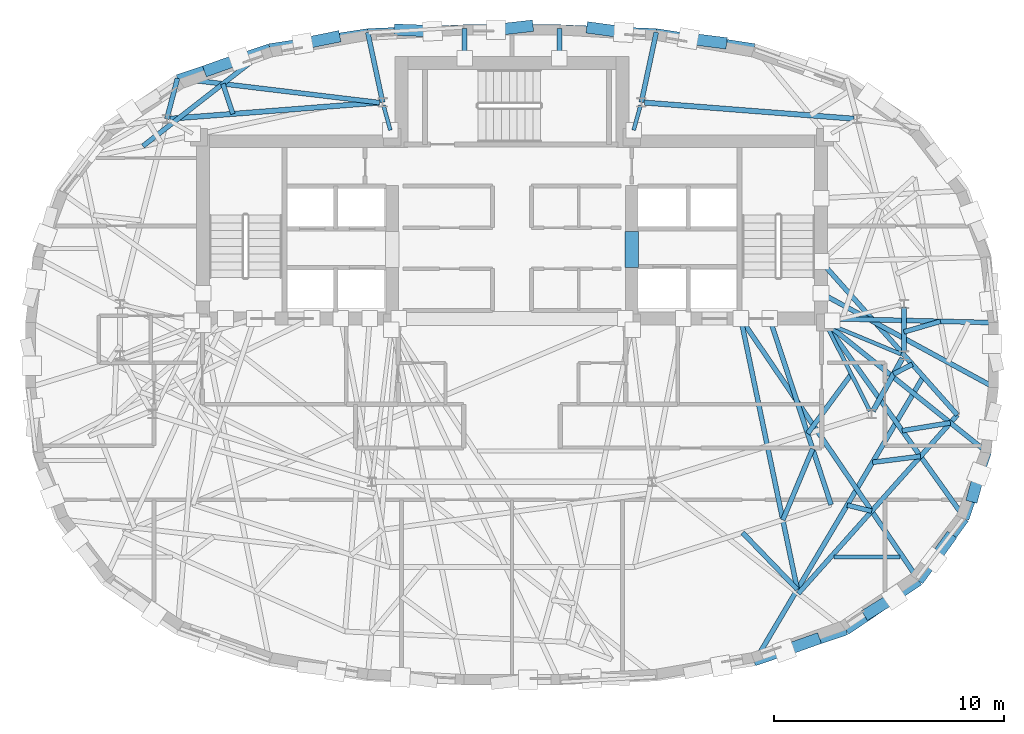
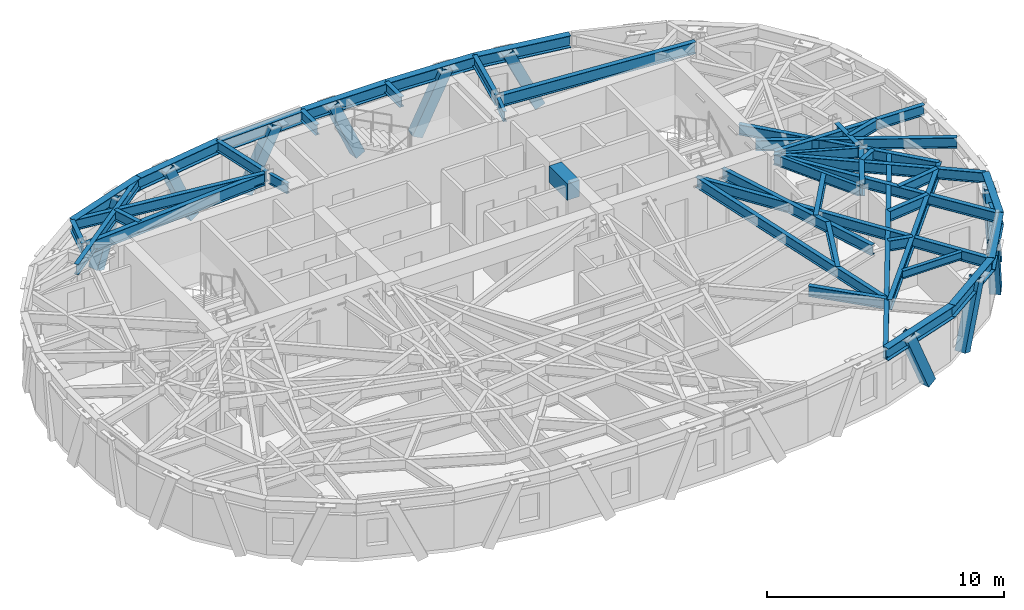
# One storey, part 3 of 12: 46 beams, 10 members.
"""IFC4 building model written with IfcOpenShell, lengths in metres."""

from ifc_helpers import new_model, si_unit, direction, frame, origin, origin_2d, place, context, subcontext, project, spatial, rectangle, hollow_rectangle, i_section, extrude, material, material_profile, profile_set, type_object, element, save


model = new_model("IFC4")

# Units and contexts
model_context = context("Model", 3, precision=1e-05, world=origin(), true_north=direction((0.0, 1.0)))
body_context = subcontext(model_context, "Body", "Model", "MODEL_VIEW")
ifc_project = project(units=[si_unit("LENGTHUNIT", "METRE"), si_unit("AREAUNIT", "SQUARE_METRE"), si_unit("VOLUMEUNIT", "CUBIC_METRE"), si_unit("PLANEANGLEUNIT", "RADIAN"), si_unit("MASSUNIT", "GRAM", prefix="KILO")], contexts=[model_context])

# Site, building, storey
site_placement = place(None, origin())
site = spatial("IfcSite", under=ifc_project, at=site_placement, CompositionType="ELEMENT")
building_placement = place(site_placement, origin())
building = spatial("IfcBuilding", under=site, at=building_placement, Name="Keldmark Tower", CompositionType="ELEMENT")
storey_placement = place(building_placement, frame((0.0, 0.0, 247.800048828125)))
storey = spatial("IfcBuildingStorey", under=building, at=storey_placement, Name="L70", CompositionType="ELEMENT", Elevation=247.800048828125)

# Beams
ifc_material_1 = material(Name="Steel ASTM A992 Grade 50", Category="steel")
ifc_material_profile_1 = material_profile(ifc_material_1, i_section(OverallWidth=0.177978515625, OverallDepth=0.403076171875, WebThickness=0.007568359375, FlangeThickness=0.010986328125, at=origin_2d()), Name="W16X36")
ifc_profile_set_1 = profile_set([ifc_material_profile_1], Name="Steel ASTM A992 Grade 50")
beam_type_1 = type_object("IfcBeamType", Name="Composite Floor Joist W16X36", PredefinedType="JOIST", material=ifc_profile_set_1)
beam_1_placement = place(storey_placement, frame((13.984130859375, -8.780029296875, 2.7685546875), z_axis=(1.0, 0.0, 0.0), x_axis=(0.0, 1.0, 0.0)))
element("IfcBeam", 1, at=beam_1_placement, inside=storey, type_object=beam_type_1, Name="L70 Composite Floor Joist J02", PredefinedType="JOIST", context=body_context, shape_type="SweptSolid", body=[
    extrude(i_section(OverallWidth=0.177978515625, OverallDepth=0.403076171875, WebThickness=0.007568359375, FlangeThickness=0.010986328125, at=origin_2d()), origin(), (0.0, 0.0, 1.0), 2.877685546875),
])
ifc_material_2 = material(Name="Concrete C50/60", Category="concrete")
ifc_material_profile_2 = material_profile(ifc_material_2, rectangle(XDim=0.60009765625, YDim=0.85009765625, at=origin_2d()), Name="RCB600X850")
ifc_profile_set_2 = profile_set([ifc_material_profile_2], Name="Concrete C50/60")
beam_type_2 = type_object("IfcBeamType", Name="Core Coupling Beam RCB600X850", PredefinedType="USERDEFINED", material=ifc_profile_set_2)
beam_2_placement = place(storey_placement, frame((5.199951171875, 3.800048828125, 2.544921875), z_axis=(0.0, 1.0, 0.0), x_axis=(-1.0, 0.0, 0.0)))
element("IfcBeam", 2, at=beam_2_placement, inside=storey, type_object=beam_type_2, Name="L70 East Core Coupling Beam", ObjectType="COUPLING BEAM", PredefinedType="USERDEFINED", context=body_context, shape_type="SweptSolid", body=[
    extrude(rectangle(XDim=0.60009765625, YDim=0.85009765625, at=origin_2d()), origin(), (0.0, 0.0, 1.0), 1.550048828125),
])

# Members
ifc_material_3 = material(Name="Steel ASTM A572 Grade 50", Category="steel")
ifc_material_profile_3 = material_profile(ifc_material_3, hollow_rectangle(XDim=0.5, YDim=0.5, WallThickness=0.030029296875, at=origin_2d()), Name="BOX500X500X30")
ifc_profile_set_3 = profile_set([ifc_material_profile_3], Name="Steel ASTM A572 Grade 50")
member_type = type_object("IfcMemberType", Name="Diagrid Upper Brace BOX500X500X30", PredefinedType="BRACE", material=ifc_profile_set_3)
member_1_placement = place(storey_placement, frame((9.098876953125, 13.557373046875, -0.260009765625), z_axis=(-0.41965301128, 0.052287669654, 0.906177327969), x_axis=(-0.123641349956, -0.9923269706, 0.0)))
element("IfcMember", 3, at=member_1_placement, inside=storey, type_object=member_type, Name="L70 Perimeter Diagrid Brace 03B", PredefinedType="BRACE", context=body_context, shape_type="SweptSolid", body=[
    extrude(hollow_rectangle(XDim=0.5, YDim=0.5, WallThickness=0.030029296875, at=origin_2d()), origin(), (0.0, 0.0, 1.0), 3.431884765625),
])
member_2_placement = place(storey_placement, frame((3.47265625, 14.195068359375, -0.260009765625), z_axis=(0.403702380208, -0.05520348655, 0.913223391776), x_axis=(0.13548222838, 0.990779776637, 0.0)))
element("IfcMember", 4, at=member_2_placement, inside=storey, type_object=member_type, Name="L70 Perimeter Diagrid Brace 04A", PredefinedType="BRACE", context=body_context, shape_type="SweptSolid", body=[
    extrude(hollow_rectangle(XDim=0.5, YDim=0.5, WallThickness=0.030029296875, at=origin_2d()), origin(), (0.0, 0.0, 1.0), 3.4052734375),
])
member_3_placement = place(storey_placement, frame((0.68798828125, 14.270263671875, -0.260009765625), z_axis=(-0.405289051372, -0.044944505697, 0.913083115738), x_axis=(0.110219291289, -0.993907293377, 0.0)))
element("IfcMember", 5, at=member_3_placement, inside=storey, type_object=member_type, Name="L70 Perimeter Diagrid Brace 04B", PredefinedType="BRACE", context=body_context, shape_type="SweptSolid", body=[
    extrude(hollow_rectangle(XDim=0.5, YDim=0.5, WallThickness=0.030029296875, at=origin_2d()), origin(), (0.0, 0.0, 1.0), 3.406005859375),
])
member_4_placement = place(storey_placement, frame((-4.892578125, 14.115234375, -0.260009765625), z_axis=(0.419294927222, -0.01581976102, 0.907712233677), x_axis=(0.037702610274, 0.999289003831, 0.0)))
element("IfcMember", 6, at=member_4_placement, inside=storey, type_object=member_type, Name="L70 Perimeter Diagrid Brace 05A", PredefinedType="BRACE", context=body_context, shape_type="SweptSolid", body=[
    extrude(hollow_rectangle(XDim=0.5, YDim=0.5, WallThickness=0.030029296875, at=origin_2d()), origin(), (0.0, 0.0, 1.0), 3.426025390625),
])
member_5_placement = place(storey_placement, frame((-7.69970703125, 13.79638671875, -0.260009765625), z_axis=(-0.406515463437, -0.082717432202, 0.909891754219), x_axis=(0.199393225958, -0.979919558659, 0.0)))
element("IfcMember", 7, at=member_5_placement, inside=storey, type_object=member_type, Name="L70 Perimeter Diagrid Brace 05B", PredefinedType="BRACE", context=body_context, shape_type="SweptSolid", body=[
    extrude(hollow_rectangle(XDim=0.5, YDim=0.5, WallThickness=0.030029296875, at=origin_2d()), origin(), (0.0, 0.0, 1.0), 3.417724609375),
])
for number, where, z_axis, x_axis, name in (
    (8, (-13.14501953125, 12.384521484375, -0.260009765625), (0.384865958735, 0.136935179137, 0.912757881654), (-0.335213833812, 0.942142072949, 0.0), "L70 Perimeter Diagrid Brace 06A"),
    (9, (13.14501953125, -12.384521484375, -0.260009765625), (-0.384865958735, -0.136935179137, 0.912757881654), (0.335213833812, -0.942142072949, 0.0), "L70 Perimeter Diagrid Brace 14A"),
):
    element("IfcMember", number, at=place(storey_placement, frame(where, z_axis=z_axis, x_axis=x_axis)), inside=storey, type_object=member_type, Name=name, PredefinedType="BRACE", context=body_context, shape_type="SweptSolid", body=[
        extrude(hollow_rectangle(XDim=0.5, YDim=0.5, WallThickness=0.030029296875, at=origin_2d()), origin(), (0.0, 0.0, 1.0), 3.4072265625),
    ])
member_6_placement = place(storey_placement, frame((15.509033203125, -11.210693359375, -0.260009765625), z_axis=(0.327427680712, 0.203338384902, 0.922737565687), x_axis=(-0.52756402166, 0.849515275348, 0.0)))
element("IfcMember", 10, at=member_6_placement, inside=storey, type_object=member_type, Name="L70 Perimeter Diagrid Brace 14B", PredefinedType="BRACE", context=body_context, shape_type="SweptSolid", body=[
    extrude(hollow_rectangle(XDim=0.5, YDim=0.5, WallThickness=0.030029296875, at=origin_2d()), origin(), (0.0, 0.0, 1.0), 3.370361328125),
])
member_7_placement = place(storey_placement, frame((18.98193359375, -8.000244140625, -0.260009765625), z_axis=(-0.198926312368, -0.275203550927, 0.940580314383), x_axis=(0.810444067748, -0.585816023212, 0.0)))
element("IfcMember", 11, at=member_7_placement, inside=storey, type_object=member_type, Name="L70 Perimeter Diagrid Brace 15A", PredefinedType="BRACE", context=body_context, shape_type="SweptSolid", body=[
    extrude(hollow_rectangle(XDim=0.5, YDim=0.5, WallThickness=0.030029296875, at=origin_2d()), origin(), (0.0, 0.0, 1.0), 3.306396484375),
])
member_8_placement = place(storey_placement, frame((20.02001953125, -6.16015625, -0.260009765625), z_axis=(0.081072765413, 0.298610554007, 0.950925309235), x_axis=(-0.965063845908, 0.262014834164, 0.0)))
element("IfcMember", 12, at=member_8_placement, inside=storey, type_object=member_type, Name="L70 Perimeter Diagrid Brace 15B", PredefinedType="BRACE", context=body_context, shape_type="SweptSolid", body=[
    extrude(hollow_rectangle(XDim=0.5, YDim=0.5, WallThickness=0.030029296875, at=origin_2d()), origin(), (0.0, 0.0, 1.0), 3.270263671875),
])

# Beams
ifc_material_4 = material(Name="Steel ASTM A992 Grade 50", Category="steel")
ifc_material_profile_4 = material_profile(ifc_material_4, i_section(OverallWidth=0.22802734375, OverallDepth=0.60302734375, WebThickness=0.010498046875, FlangeThickness=0.014892578125, at=origin_2d()), Name="W24X68")
ifc_profile_set_4 = profile_set([ifc_material_profile_4], Name="Steel ASTM A992 Grade 50")
beam_type_3 = type_object("IfcBeamType", Name="Primary Floor Girder W24X68", PredefinedType="BEAM", material=ifc_profile_set_4)
for number, where, z_axis, x_axis, name in (
    (13, (14.856201171875, 10.25439453125, 2.66845703125), (-0.997037147832, 0.076921556421, 0.0), (-0.076921556421, -0.997037147832, 0.0), "L70 Floor Ring Girder FG-R02"),
    (14, (-5.75830078125, 10.956298828125, 2.66845703125), (-0.997037147832, -0.076921556421, 0.0), (0.076921556421, -0.997037147832, 0.0), "L70 Floor Ring Girder FG-R04"),
):
    element("IfcBeam", number, at=place(storey_placement, frame(where, z_axis=z_axis, x_axis=x_axis)), inside=storey, type_object=beam_type_3, Name=name, PredefinedType="BEAM", context=body_context, shape_type="SweptSolid", body=[
        extrude(i_section(OverallWidth=0.22802734375, OverallDepth=0.60302734375, WebThickness=0.010498046875, FlangeThickness=0.014892578125, at=origin_2d()), origin(), (0.0, 0.0, 1.0), 9.125),
    ])
beam_3_placement = place(storey_placement, frame((15.68408203125, -2.44482421875, 2.66845703125), z_axis=(0.484719680408, 0.874669555561, 0.0), x_axis=(-0.874669555561, 0.484719680408, 0.0)))
element("IfcBeam", 15, at=beam_3_placement, inside=storey, type_object=beam_type_3, Name="L70 Floor Ring Girder FG-R11", PredefinedType="BEAM", context=body_context, shape_type="SweptSolid", body=[
    extrude(i_section(OverallWidth=0.22802734375, OverallDepth=0.60302734375, WebThickness=0.010498046875, FlangeThickness=0.014892578125, at=origin_2d()), origin(), (0.0, 0.0, 1.0), 2.627685546875),
])
beam_4_placement = place(storey_placement, frame((17.025634765625, 0.115966796875, 2.66845703125), z_axis=(0.0, 1.0, 0.0), x_axis=(-1.0, 0.0, 0.0)))
element("IfcBeam", 16, at=beam_4_placement, inside=storey, type_object=beam_type_3, Name="L70 Floor Ring Girder FG-R12", PredefinedType="BEAM", context=body_context, shape_type="SweptSolid", body=[
    extrude(i_section(OverallWidth=0.22802734375, OverallDepth=0.60302734375, WebThickness=0.010498046875, FlangeThickness=0.014892578125, at=origin_2d()), origin(), (0.0, 0.0, 1.0), 1.9521484375),
])
ifc_material_5 = material(Name="Steel ASTM A992 Grade 50", Category="steel")
ifc_material_profile_5 = material_profile(ifc_material_5, i_section(OverallWidth=0.166015625, OverallDepth=0.529052734375, WebThickness=0.009765625, FlangeThickness=0.013671875, at=origin_2d()), Name="W21X50")
ifc_profile_set_5 = profile_set([ifc_material_profile_5], Name="Steel ASTM A992 Grade 50")
beam_type_4 = type_object("IfcBeamType", Name="Radial Tie Girder W21X50", PredefinedType="BEAM", material=ifc_profile_set_5)
for number, where, z_axis, x_axis, name in (
    (17, (5.581298828125, 10.83203125, 2.70556640625), (-0.265936023434, -0.963990680163, 0.0), (0.963990680163, -0.265936023434, 0.0), "L70 Floor Radial Girder FG-C03"),
    (18, (-5.581298828125, 10.83203125, 2.70556640625), (0.265936023434, -0.963990680163, 0.0), (0.963990680163, 0.265936023434, 0.0), "L70 Floor Radial Girder FG-C04"),
):
    element("IfcBeam", number, at=place(storey_placement, frame(where, z_axis=z_axis, x_axis=x_axis)), inside=storey, type_object=beam_type_4, Name=name, PredefinedType="BEAM", context=body_context, shape_type="SweptSolid", body=[
        extrude(i_section(OverallWidth=0.166015625, OverallDepth=0.529052734375, WebThickness=0.009765625, FlangeThickness=0.013671875, at=origin_2d()), origin(), (0.0, 0.0, 1.0), 1.113525390625),
    ])
beam_5_placement = place(storey_placement, frame((15.552734375, -2.442626953125, 2.70556640625), z_axis=(-0.453004410574, 0.89150827478, 0.0), x_axis=(-0.89150827478, -0.453004410574, 0.0)))
element("IfcBeam", 19, at=beam_5_placement, inside=storey, type_object=beam_type_4, Name="L70 Floor Radial Girder FG-C11", PredefinedType="BEAM", context=body_context, shape_type="SweptSolid", body=[
    extrude(i_section(OverallWidth=0.166015625, OverallDepth=0.529052734375, WebThickness=0.009765625, FlangeThickness=0.013671875, at=origin_2d()), origin(), (0.0, 0.0, 1.0), 3.990234375),
])
beam_6_placement = place(storey_placement, frame((16.896240234375, 0.02978515625, 2.70556640625), z_axis=(-0.923403331902, 0.383831065226, 0.0), x_axis=(-0.383831065226, -0.923403331902, 0.0)))
element("IfcBeam", 20, at=beam_6_placement, inside=storey, type_object=beam_type_4, Name="L70 Floor Radial Girder FG-C12", PredefinedType="BEAM", context=body_context, shape_type="SweptSolid", body=[
    extrude(i_section(OverallWidth=0.166015625, OverallDepth=0.529052734375, WebThickness=0.009765625, FlangeThickness=0.013671875, at=origin_2d()), origin(), (0.0, 0.0, 1.0), 3.249755859375),
])
ifc_material_6 = material(Name="Steel ASTM A992 Grade 50", Category="steel")
ifc_material_profile_6 = material_profile(ifc_material_6, i_section(OverallWidth=0.2099609375, OverallDepth=0.537109375, WebThickness=0.010986328125, FlangeThickness=0.017333984375, at=origin_2d()), Name="W21X68")
ifc_profile_set_6 = profile_set([ifc_material_profile_6], Name="Steel ASTM A992 Grade 50")
beam_type_5 = type_object("IfcBeamType", Name="Radial Tie Girder W21X68", PredefinedType="BEAM", material=ifc_profile_set_6)
for number, where, z_axis, x_axis, name in (
    (21, (2.059326171875, 12.8798828125, 2.701416015625), (0.0, 1.0, 0.0), (-1.0, 0.0, 0.0), "L70 North Core Wall Bracket RT-08N"),
    (22, (-2.059326171875, 12.8798828125, 2.701416015625), (0.0, 1.0, 0.0), (-1.0, 0.0, 0.0), "L70 North Core Wall Bracket RT-09N"),
):
    element("IfcBeam", number, at=place(storey_placement, frame(where, z_axis=z_axis, x_axis=x_axis)), inside=storey, type_object=beam_type_5, Name=name, PredefinedType="BEAM", context=body_context, shape_type="SweptSolid", body=[
        extrude(i_section(OverallWidth=0.2099609375, OverallDepth=0.537109375, WebThickness=0.010986328125, FlangeThickness=0.017333984375, at=origin_2d()), origin(), (0.0, 0.0, 1.0), 1.297119140625),
    ])
beam_7_placement = place(storey_placement, frame((14.7392578125, -0.841796875, 2.701416015625), z_axis=(-0.59182597724, -0.806065761997, 0.0), x_axis=(0.806065761997, -0.59182597724, 0.0)))
element("IfcBeam", 23, at=beam_7_placement, inside=storey, type_object=beam_type_5, Name="L70 Framing Pin Header PH-004", PredefinedType="BEAM", context=body_context, shape_type="SweptSolid", body=[
    extrude(i_section(OverallWidth=0.2099609375, OverallDepth=0.537109375, WebThickness=0.010986328125, FlangeThickness=0.017333984375, at=origin_2d()), origin(), (0.0, 0.0, 1.0), 3.204345703125),
])
beam_8_placement = place(storey_placement, frame((11.19287109375, 1.574951171875, 2.701416015625), z_axis=(0.313362200082, -0.949633682827, 0.0), x_axis=(0.949633682827, 0.313362200082, 0.0)))
element("IfcBeam", 24, at=beam_8_placement, inside=storey, type_object=beam_type_5, Name="L70 Sub-Ring Step Girder STP1-M11", PredefinedType="BEAM", context=body_context, shape_type="SweptSolid", body=[
    extrude(i_section(OverallWidth=0.2099609375, OverallDepth=0.537109375, WebThickness=0.010986328125, FlangeThickness=0.017333984375, at=origin_2d()), origin(), (0.0, 0.0, 1.0), 8.515625),
])
beam_9_placement = place(storey_placement, frame((13.060791015625, -4.085693359375, 2.701416015625), z_axis=(-0.386450873576, -0.922309992525, 0.0), x_axis=(0.922309992525, -0.386450873576, 0.0)))
element("IfcBeam", 25, at=beam_9_placement, inside=storey, type_object=beam_type_5, Name="L70 Framing Pin Header PH-008", PredefinedType="BEAM", context=body_context, shape_type="SweptSolid", body=[
    extrude(i_section(OverallWidth=0.2099609375, OverallDepth=0.537109375, WebThickness=0.010986328125, FlangeThickness=0.017333984375, at=origin_2d()), origin(), (0.0, 0.0, 1.0), 3.351318359375),
])
beam_10_placement = place(storey_placement, frame((9.939208984375, 1.574951171875, 2.701416015625), z_axis=(0.204297665259, -0.978908812898, 0.0), x_axis=(0.978908812898, 0.204297665259, 0.0)))
element("IfcBeam", 26, at=beam_10_placement, inside=storey, type_object=beam_type_5, Name="L70 Sub-Ring Step Girder STP2-M11", PredefinedType="BEAM", context=body_context, shape_type="SweptSolid", body=[
    extrude(i_section(OverallWidth=0.2099609375, OverallDepth=0.537109375, WebThickness=0.010986328125, FlangeThickness=0.017333984375, at=origin_2d()), origin(), (0.0, 0.0, 1.0), 12.207275390625),
])
beam_11_placement = place(storey_placement, frame((16.57568359375, -0.8359375, 2.701416015625), z_axis=(0.886584846165, 0.462566006695, 0.0), x_axis=(-0.462566006695, 0.886584846165, 0.0)))
element("IfcBeam", 27, at=beam_11_placement, inside=storey, type_object=beam_type_5, Name="L70 Framing Pin Header PH-009", PredefinedType="BEAM", context=body_context, shape_type="SweptSolid", body=[
    extrude(i_section(OverallWidth=0.2099609375, OverallDepth=0.537109375, WebThickness=0.010986328125, FlangeThickness=0.017333984375, at=origin_2d()), origin(), (0.0, 0.0, 1.0), 0.91845703125),
])
beam_12_placement = place(storey_placement, frame((13.425048828125, 4.050048828125, 2.701416015625), z_axis=(0.664300948416, -0.747465216537, 0.0), x_axis=(0.747465216537, 0.664300948416, 0.0)))
element("IfcBeam", 28, at=beam_12_placement, inside=storey, type_object=beam_type_5, Name="L70 Sub-Ring Step Girder STP2-M12", PredefinedType="BEAM", context=body_context, shape_type="SweptSolid", body=[
    extrude(i_section(OverallWidth=0.2099609375, OverallDepth=0.537109375, WebThickness=0.010986328125, FlangeThickness=0.017333984375, at=origin_2d()), origin(), (0.0, 0.0, 1.0), 8.91552734375),
])
beam_13_placement = place(storey_placement, frame((12.43310546875, -10.374755859375, 2.701416015625), z_axis=(0.665229374066, 0.746639055957, 0.0), x_axis=(-0.746639055957, 0.665229374066, 0.0)))
element("IfcBeam", 29, at=beam_13_placement, inside=storey, type_object=beam_type_5, Name="L70 Perimeter Collector Ring Beam CRG2-M11", PredefinedType="BEAM", context=body_context, shape_type="SweptSolid", body=[
    extrude(i_section(OverallWidth=0.2099609375, OverallDepth=0.537109375, WebThickness=0.010986328125, FlangeThickness=0.017333984375, at=origin_2d()), origin(), (0.0, 0.0, 1.0), 10.394287109375),
])
beam_14_placement = place(storey_placement, frame((17.025634765625, 0.994384765625, 2.701416015625), z_axis=(0.960700176047, 0.277588133291, 0.0), x_axis=(-0.277588133291, 0.960700176047, 0.0)))
element("IfcBeam", 30, at=beam_14_placement, inside=storey, type_object=beam_type_5, Name="L70 Framing Pin Header PH-010", PredefinedType="BEAM", context=body_context, shape_type="SweptSolid", body=[
    extrude(i_section(OverallWidth=0.2099609375, OverallDepth=0.537109375, WebThickness=0.010986328125, FlangeThickness=0.017333984375, at=origin_2d()), origin(), (0.0, 0.0, 1.0), 1.652587890625),
])
beam_15_placement = place(storey_placement, frame((13.699951171875, 1.574951171875, 2.701416015625), z_axis=(0.999692910346, -0.024780738584, 0.0), x_axis=(0.024780738584, 0.999692910346, 0.0)))
element("IfcBeam", 31, at=beam_15_placement, inside=storey, type_object=beam_type_5, Name="L70 Perimeter Radial Tie Girder RT-01", PredefinedType="BEAM", context=body_context, shape_type="SweptSolid", body=[
    extrude(i_section(OverallWidth=0.2099609375, OverallDepth=0.537109375, WebThickness=0.010986328125, FlangeThickness=0.017333984375, at=origin_2d()), origin(), (0.0, 0.0, 1.0), 7.211669921875),
])
for number, where, z_axis, x_axis, name in (
    (32, (5.61865234375, 10.967041015625, 2.701416015625), (0.208601425945, 0.9780007388, 0.0), (-0.9780007388, 0.208601425945, 0.0), "L70 Perimeter Column Bracket RT-07"),
    (33, (-5.61865234375, 10.967041015625, 2.701416015625), (-0.208601425945, 0.9780007388, 0.0), (-0.9780007388, -0.208601425945, 0.0), "L70 Perimeter Column Bracket RT-10"),
):
    element("IfcBeam", number, at=place(storey_placement, frame(where, z_axis=z_axis, x_axis=x_axis)), inside=storey, type_object=beam_type_5, Name=name, PredefinedType="BEAM", context=body_context, shape_type="SweptSolid", body=[
        extrude(i_section(OverallWidth=0.2099609375, OverallDepth=0.537109375, WebThickness=0.010986328125, FlangeThickness=0.017333984375, at=origin_2d()), origin(), (0.0, 0.0, 1.0), 3.109619140625),
    ])
beam_16_placement = place(storey_placement, frame((-14.995849609375, 10.24365234375, 2.701416015625), z_axis=(0.253642849058, 0.967297940203, 0.0), x_axis=(-0.967297940203, 0.253642849058, 0.0)))
element("IfcBeam", 34, at=beam_16_placement, inside=storey, type_object=beam_type_5, Name="L70 Perimeter Column Bracket RT-12", PredefinedType="BEAM", context=body_context, shape_type="SweptSolid", body=[
    extrude(i_section(OverallWidth=0.2099609375, OverallDepth=0.537109375, WebThickness=0.010986328125, FlangeThickness=0.017333984375, at=origin_2d()), origin(), (0.0, 0.0, 1.0), 1.822998046875),
])
beam_17_placement = place(storey_placement, frame((10.018798828125, -7.73095703125, 2.701416015625), z_axis=(0.694332234254, -0.719654603595, 0.0), x_axis=(0.719654603595, 0.694332234254, 0.0)))
element("IfcBeam", 35, at=beam_17_placement, inside=storey, type_object=beam_type_5, Name="L70 Framing Pin Header PH-027", PredefinedType="BEAM", context=body_context, shape_type="SweptSolid", body=[
    extrude(i_section(OverallWidth=0.2099609375, OverallDepth=0.537109375, WebThickness=0.010986328125, FlangeThickness=0.017333984375, at=origin_2d()), origin(), (0.0, 0.0, 1.0), 3.422607421875),
])
beam_18_placement = place(storey_placement, frame((17.866943359375, -0.947998046875, 2.701416015625), z_axis=(-0.509295293206, -0.860591833751, 0.0), x_axis=(0.860591833751, -0.509295293206, 0.0)))
element("IfcBeam", 36, at=beam_18_placement, inside=storey, type_object=beam_type_5, Name="L70 Perimeter Radial Tie Girder RT-27", PredefinedType="BEAM", context=body_context, shape_type="SweptSolid", body=[
    extrude(i_section(OverallWidth=0.2099609375, OverallDepth=0.537109375, WebThickness=0.010986328125, FlangeThickness=0.017333984375, at=origin_2d()), origin(), (0.0, 0.0, 1.0), 14.41357421875),
])
beam_19_placement = place(storey_placement, frame((14.563720703125, -6.530029296875, 2.701416015625), z_axis=(0.97124784447, -0.238070629462, 0.0), x_axis=(0.238070629462, 0.97124784447, 0.0)))
element("IfcBeam", 37, at=beam_19_placement, inside=storey, type_object=beam_type_5, Name="L70 Framing Pin Header PH-028", PredefinedType="BEAM", context=body_context, shape_type="SweptSolid", body=[
    extrude(i_section(OverallWidth=0.2099609375, OverallDepth=0.537109375, WebThickness=0.010986328125, FlangeThickness=0.017333984375, at=origin_2d()), origin(), (0.0, 0.0, 1.0), 1.09423828125),
])
beam_20_placement = place(storey_placement, frame((9.939208984375, 1.574951171875, 2.701416015625), z_axis=(0.56221531027, -0.826990897712, 0.0), x_axis=(0.826990897712, 0.56221531027, 0.0)))
element("IfcBeam", 38, at=beam_20_placement, inside=storey, type_object=beam_type_5, Name="L70 Perimeter Radial Tie Girder RT-29", PredefinedType="BEAM", context=body_context, shape_type="SweptSolid", body=[
    extrude(i_section(OverallWidth=0.2099609375, OverallDepth=0.537109375, WebThickness=0.010986328125, FlangeThickness=0.017333984375, at=origin_2d()), origin(), (0.0, 0.0, 1.0), 13.81982421875),
])
beam_21_placement = place(storey_placement, frame((15.664794921875, -4.66943359375, 2.701416015625), z_axis=(0.99235286595, 0.123433340067, 0.0), x_axis=(-0.123433340067, 0.99235286595, 0.0)))
element("IfcBeam", 39, at=beam_21_placement, inside=storey, type_object=beam_type_5, Name="L70 Framing Pin Header PH-029", PredefinedType="BEAM", context=body_context, shape_type="SweptSolid", body=[
    extrude(i_section(OverallWidth=0.2099609375, OverallDepth=0.537109375, WebThickness=0.010986328125, FlangeThickness=0.017333984375, at=origin_2d()), origin(), (0.0, 0.0, 1.0), 2.0986328125),
])
beam_22_placement = place(storey_placement, frame((13.60009765625, 1.39990234375, 2.701416015625), z_axis=(0.580938691373, -0.813947318237, 0.0), x_axis=(0.813947318237, 0.580938691373, 0.0)))
element("IfcBeam", 40, at=beam_22_placement, inside=storey, type_object=beam_type_5, Name="L70 Perimeter Radial Tie Girder RT-30", PredefinedType="BEAM", context=body_context, shape_type="SweptSolid", body=[
    extrude(i_section(OverallWidth=0.2099609375, OverallDepth=0.537109375, WebThickness=0.010986328125, FlangeThickness=0.017333984375, at=origin_2d()), origin(), (0.0, 0.0, 1.0), 10.48828125),
])
beam_23_placement = place(storey_placement, frame((16.951416015625, -3.29541015625, 2.701416015625), z_axis=(0.987061167767, 0.160344164492, 0.0), x_axis=(-0.160344164492, 0.987061167767, 0.0)))
element("IfcBeam", 41, at=beam_23_placement, inside=storey, type_object=beam_type_5, Name="L70 Framing Pin Header PH-030", PredefinedType="BEAM", context=body_context, shape_type="SweptSolid", body=[
    extrude(i_section(OverallWidth=0.2099609375, OverallDepth=0.537109375, WebThickness=0.010986328125, FlangeThickness=0.017333984375, at=origin_2d()), origin(), (0.0, 0.0, 1.0), 2.119384765625),
])
beam_24_placement = place(storey_placement, frame((13.60009765625, 1.39990234375, 2.701416015625), z_axis=(0.780818757787, -0.624757606986, 0.0), x_axis=(0.624757606986, 0.780818757787, 0.0)))
element("IfcBeam", 42, at=beam_24_placement, inside=storey, type_object=beam_type_5, Name="L70 Perimeter Radial Tie Girder RT-31", PredefinedType="BEAM", context=body_context, shape_type="SweptSolid", body=[
    extrude(i_section(OverallWidth=0.2099609375, OverallDepth=0.537109375, WebThickness=0.010986328125, FlangeThickness=0.017333984375, at=origin_2d()), origin(), (0.0, 0.0, 1.0), 9.042236328125),
])
beam_25_placement = place(storey_placement, frame((13.425048828125, 2.675048828125, 2.701416015625), z_axis=(0.878442543566, -0.477847985925, 0.0), x_axis=(0.477847985925, 0.878442543566, 0.0)))
element("IfcBeam", 43, at=beam_25_placement, inside=storey, type_object=beam_type_5, Name="L70 Perimeter Radial Tie Girder RT-32", PredefinedType="BEAM", context=body_context, shape_type="SweptSolid", body=[
    extrude(i_section(OverallWidth=0.2099609375, OverallDepth=0.537109375, WebThickness=0.010986328125, FlangeThickness=0.017333984375, at=origin_2d()), origin(), (0.0, 0.0, 1.0), 8.52001953125),
])
beam_26_placement = place(storey_placement, frame((-5.75830078125, 10.956298828125, 2.701416015625), z_axis=(-0.992906740935, 0.118895768661, 0.0), x_axis=(-0.118895768661, -0.992906740935, 0.0)))
element("IfcBeam", 44, at=beam_26_placement, inside=storey, type_object=beam_type_5, Name="L70 Straddling Support Chord RT-11RB", PredefinedType="BEAM", context=body_context, shape_type="SweptSolid", body=[
    extrude(i_section(OverallWidth=0.2099609375, OverallDepth=0.537109375, WebThickness=0.010986328125, FlangeThickness=0.017333984375, at=origin_2d()), origin(), (0.0, 0.0, 1.0), 8.837890625),
])
beam_27_placement = place(storey_placement, frame((-12.126708984375, 10.465087890625, 2.701416015625), z_axis=(-0.314363341454, 0.949302738619, 0.0), x_axis=(-0.949302738619, -0.314363341454, 0.0)))
element("IfcBeam", 45, at=beam_27_placement, inside=storey, type_object=beam_type_5, Name="L70 Framing Pin Header PH-032", PredefinedType="BEAM", context=body_context, shape_type="SweptSolid", body=[
    extrude(i_section(OverallWidth=0.2099609375, OverallDepth=0.537109375, WebThickness=0.010986328125, FlangeThickness=0.017333984375, at=origin_2d()), origin(), (0.0, 0.0, 1.0), 1.37548828125),
])
beam_28_placement = place(storey_placement, frame((-16.033935546875, 9.06689453125, 2.701416015625), z_axis=(0.789244830547, 0.614078657384, 0.0), x_axis=(-0.614078657384, 0.789244830547, 0.0)))
element("IfcBeam", 46, at=beam_28_placement, inside=storey, type_object=beam_type_5, Name="L70 Perimeter Radial Tie Girder RT-11R", PredefinedType="BEAM", context=body_context, shape_type="SweptSolid", body=[
    extrude(i_section(OverallWidth=0.2099609375, OverallDepth=0.537109375, WebThickness=0.010986328125, FlangeThickness=0.017333984375, at=origin_2d()), origin(), (0.0, 0.0, 1.0), 6.978515625),
])
ifc_material_7 = material(Name="Steel ASTM A992 Grade 50", Category="steel")
ifc_material_profile_7 = material_profile(ifc_material_7, i_section(OverallWidth=0.326904296875, OverallDepth=0.6220703125, WebThickness=0.015380859375, FlangeThickness=0.0244140625, at=origin_2d()), Name="W24X131")
ifc_profile_set_7 = profile_set([ifc_material_profile_7], Name="Steel ASTM A992 Grade 50")
beam_type_6 = type_object("IfcBeamType", Name="Spandrel Ring Beam W24X131", PredefinedType="SPANDREL", material=ifc_profile_set_7)
beam_29_placement = place(storey_placement, frame((10.526123046875, 13.352294921875, 2.658935546875), z_axis=(-0.988343515408, 0.152240256014, 0.0), x_axis=(-0.152240256014, -0.988343515408, 0.0)))
element("IfcBeam", 47, at=beam_29_placement, inside=storey, type_object=beam_type_6, Name="L70 Perimeter Spandrel Ring Beam SRB-06", PredefinedType="SPANDREL", context=body_context, shape_type="SweptSolid", body=[
    extrude(i_section(OverallWidth=0.326904296875, OverallDepth=0.6220703125, WebThickness=0.015380859375, FlangeThickness=0.0244140625, at=origin_2d()), origin(), (0.0, 0.0, 1.0), 4.30908203125),
])
beam_30_placement = place(storey_placement, frame((6.267333984375, 14.00830078125, 2.658935546875), z_axis=(-0.999197342997, 0.040058329311, 0.0), x_axis=(-0.040058329311, -0.999197342997, 0.0)))
element("IfcBeam", 48, at=beam_30_placement, inside=storey, type_object=beam_type_6, Name="L70 Perimeter Spandrel Ring Beam SRB-07", PredefinedType="SPANDREL", context=body_context, shape_type="SweptSolid", body=[
    extrude(i_section(OverallWidth=0.326904296875, OverallDepth=0.6220703125, WebThickness=0.015380859375, FlangeThickness=0.0244140625, at=origin_2d()), origin(), (0.0, 0.0, 1.0), 4.21142578125),
])
beam_31_placement = place(storey_placement, frame((2.059326171875, 14.177001953125, 2.658935546875), z_axis=(-1.0, 0.0, 0.0), x_axis=(0.0, -1.0, 0.0)))
element("IfcBeam", 49, at=beam_31_placement, inside=storey, type_object=beam_type_6, Name="L70 Perimeter Spandrel Ring Beam SRB-08", PredefinedType="SPANDREL", context=body_context, shape_type="SweptSolid", body=[
    extrude(i_section(OverallWidth=0.326904296875, OverallDepth=0.6220703125, WebThickness=0.015380859375, FlangeThickness=0.0244140625, at=origin_2d()), origin(), (0.0, 0.0, 1.0), 4.11865234375),
])
beam_32_placement = place(storey_placement, frame((-2.059326171875, 14.177001953125, 2.658935546875), z_axis=(-0.999197342997, -0.040058329311, 0.0), x_axis=(0.040058329311, -0.999197342997, 0.0)))
element("IfcBeam", 50, at=beam_32_placement, inside=storey, type_object=beam_type_6, Name="L70 Perimeter Spandrel Ring Beam SRB-09", PredefinedType="SPANDREL", context=body_context, shape_type="SweptSolid", body=[
    extrude(i_section(OverallWidth=0.326904296875, OverallDepth=0.6220703125, WebThickness=0.015380859375, FlangeThickness=0.0244140625, at=origin_2d()), origin(), (0.0, 0.0, 1.0), 4.21142578125),
])
beam_33_placement = place(storey_placement, frame((-6.267333984375, 14.00830078125, 2.658935546875), z_axis=(-0.988343515408, -0.152240256014, 0.0), x_axis=(0.152240256014, -0.988343515408, 0.0)))
element("IfcBeam", 51, at=beam_33_placement, inside=storey, type_object=beam_type_6, Name="L70 Perimeter Spandrel Ring Beam SRB-10", PredefinedType="SPANDREL", context=body_context, shape_type="SweptSolid", body=[
    extrude(i_section(OverallWidth=0.326904296875, OverallDepth=0.6220703125, WebThickness=0.015380859375, FlangeThickness=0.0244140625, at=origin_2d()), origin(), (0.0, 0.0, 1.0), 4.30908203125),
])
for number, where, z_axis, x_axis, name in (
    (52, (-10.526123046875, 13.352294921875, 2.658935546875), (-0.948011196326, -0.318236974032, 0.0), (0.318236974032, -0.948011196326, 0.0), "L70 Perimeter Spandrel Ring Beam SRB-11"),
    (53, (10.526123046875, -13.352294921875, 2.658935546875), (0.948011196326, 0.318236974032, 0.0), (-0.318236974032, 0.948011196326, 0.0), "L70 Perimeter Spandrel Ring Beam SRB-27"),
):
    element("IfcBeam", number, at=place(storey_placement, frame(where, z_axis=z_axis, x_axis=x_axis)), inside=storey, type_object=beam_type_6, Name=name, PredefinedType="SPANDREL", context=body_context, shape_type="SweptSolid", body=[
        extrude(i_section(OverallWidth=0.326904296875, OverallDepth=0.6220703125, WebThickness=0.015380859375, FlangeThickness=0.0244140625, at=origin_2d()), origin(), (0.0, 0.0, 1.0), 4.22705078125),
    ])
beam_34_placement = place(storey_placement, frame((14.533447265625, -12.007080078125, 2.658935546875), z_axis=(0.827687958421, 0.561188598855, 0.0), x_axis=(-0.561188598855, 0.827687958421, 0.0)))
element("IfcBeam", 54, at=beam_34_placement, inside=storey, type_object=beam_type_6, Name="L70 Perimeter Spandrel Ring Beam SRB-28", PredefinedType="SPANDREL", context=body_context, shape_type="SweptSolid", body=[
    extrude(i_section(OverallWidth=0.326904296875, OverallDepth=0.6220703125, WebThickness=0.015380859375, FlangeThickness=0.0244140625, at=origin_2d()), origin(), (0.0, 0.0, 1.0), 3.836669921875),
])
beam_35_placement = place(storey_placement, frame((17.708984375, -9.85400390625, 2.658935546875), z_axis=(0.589745465015, 0.807589181759, 0.0), x_axis=(-0.807589181759, 0.589745465015, 0.0)))
element("IfcBeam", 55, at=beam_35_placement, inside=storey, type_object=beam_type_6, Name="L70 Perimeter Spandrel Ring Beam SRB-29", PredefinedType="SPANDREL", context=body_context, shape_type="SweptSolid", body=[
    extrude(i_section(OverallWidth=0.326904296875, OverallDepth=0.6220703125, WebThickness=0.015380859375, FlangeThickness=0.0244140625, at=origin_2d()), origin(), (0.0, 0.0, 1.0), 3.364501953125),
])
beam_36_placement = place(storey_placement, frame((19.693115234375, -7.136962890625, 2.658935546875), z_axis=(0.317622332961, 0.948217302945, 0.0), x_axis=(-0.948217302945, 0.317622332961, 0.0)))
element("IfcBeam", 56, at=beam_36_placement, inside=storey, type_object=beam_type_6, Name="L70 Perimeter Spandrel Ring Beam SRB-30", PredefinedType="SPANDREL", context=body_context, shape_type="SweptSolid", body=[
    extrude(i_section(OverallWidth=0.326904296875, OverallDepth=0.6220703125, WebThickness=0.015380859375, FlangeThickness=0.0244140625, at=origin_2d()), origin(), (0.0, 0.0, 1.0), 3.04541015625),
])

save(model, "model.ifc")
